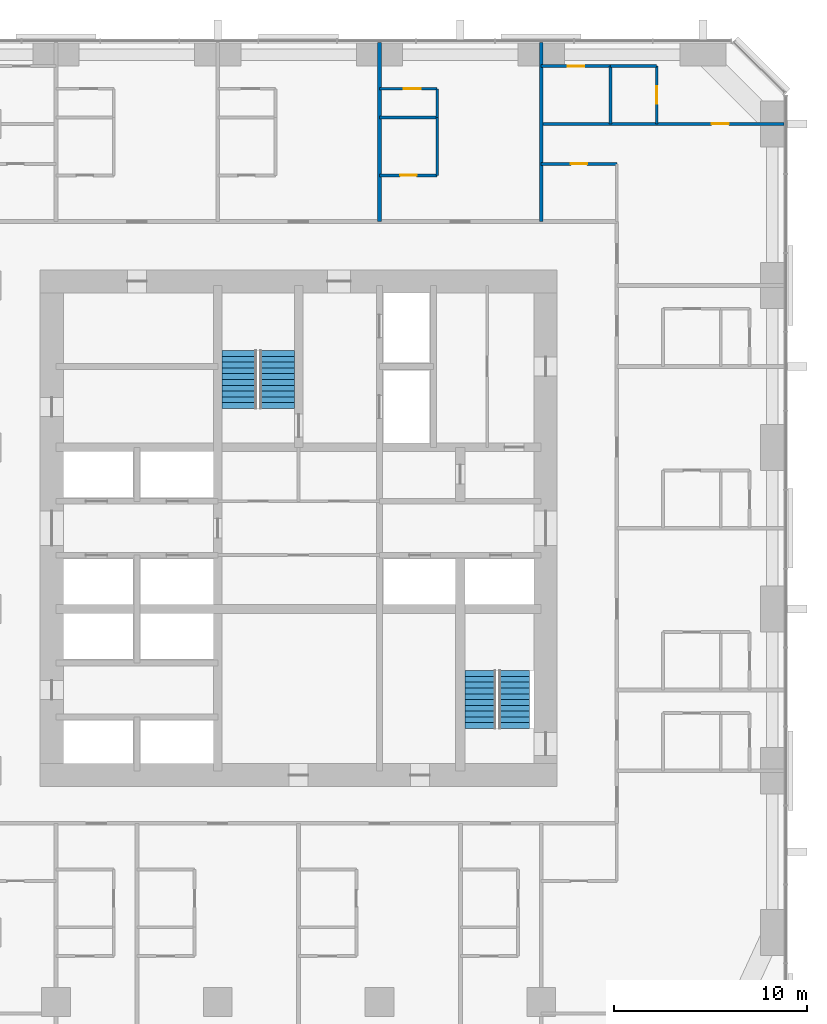
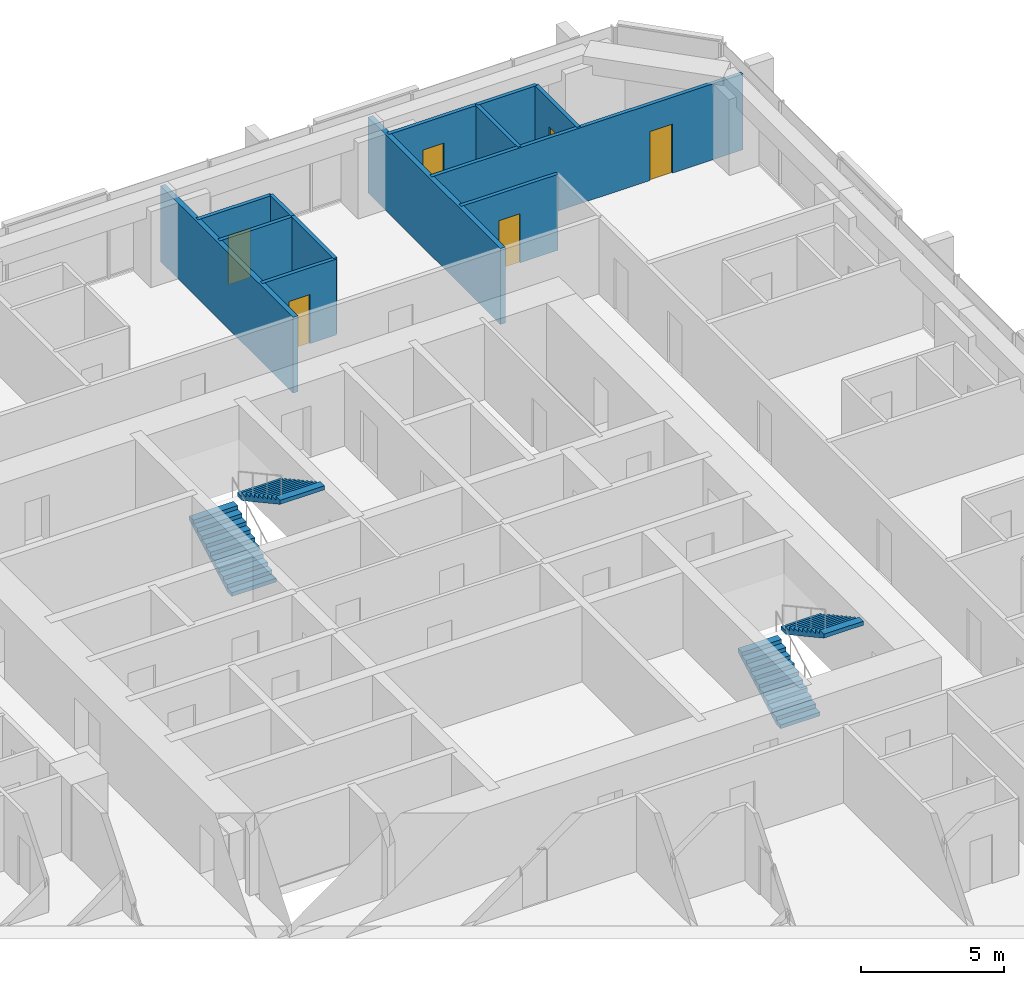
# One storey, part 13 of 14: 13 walls, 6 doors, 4 stair flights, 6 openings, 2 elements without a shape of their own.
"""IFC4 building model written with IfcOpenShell, lengths in metres."""

from ifc_helpers import new_model, si_unit, direction, frame, frame_2d, origin, place, context, subcontext, project, spatial, polyline, rectangle, outline, extrude, material, layer, layer_set, type_object, element, fill, aggregate, save


model = new_model("IFC4")

# Units and contexts
model_context = context("Model", 3, precision=1e-05, world=origin(), true_north=direction((0.0, 1.0)))
body_context = subcontext(model_context, "Body", "Model", "MODEL_VIEW")
ifc_project = project(units=[si_unit("LENGTHUNIT", "METRE"), si_unit("AREAUNIT", "SQUARE_METRE"), si_unit("VOLUMEUNIT", "CUBIC_METRE"), si_unit("PLANEANGLEUNIT", "RADIAN"), si_unit("MASSUNIT", "GRAM", prefix="KILO")], contexts=[model_context])

# Site, building, storey
site_placement = place(None, origin())
site = spatial("IfcSite", under=ifc_project, at=site_placement, CompositionType="ELEMENT")
building_placement = place(site_placement, origin())
building = spatial("IfcBuilding", under=site, at=building_placement, Name="Dunama Terrace Hotel", CompositionType="ELEMENT")
storey_placement = place(building_placement, frame((0.0, 0.0, 108.0)))
storey = spatial("IfcBuildingStorey", under=building, at=storey_placement, Name="L27", CompositionType="ELEMENT", Elevation=108.0)

# Wall
ifc_material_1 = material(Name="Gypsum board partition", Category="masonry")
ifc_layer_1 = layer(ifc_material_1, 0.14990234375)
ifc_layer_set_1 = layer_set([ifc_layer_1], Name="Bathroom partition 150")
wall_type_1 = type_object("IfcWallType", Name="Bathroom partition 150", PredefinedType="PARTITIONING", material=ifc_layer_set_1)
wall_1_placement = place(storey_placement, frame((36.60009765625, 47.72509765625, 0.0), z_axis=(0.0, 0.0, 1.0), x_axis=(0.0, 1.0, 0.0)))
element("IfcWall", 1, at=wall_1_placement, inside=storey, type_object=wall_type_1, Name="Bathroom partition 150 L27", PredefinedType="PARTITIONING", context=body_context, shape_type="SweptSolid", body=[
    extrude(rectangle(XDim=3.0, YDim=0.14990234375, at=frame_2d((1.5, 0.0))), origin(), (0.0, 0.0, 1.0), 3.25),
])

# Wall, opening, door
wall_2_placement = place(storey_placement, frame((33.60009765625, 47.72509765625, 0.0), z_axis=(0.0, 0.0, 1.0), x_axis=(1.0, 0.0, 0.0)))
wall_2 = element("IfcWall", 2, at=wall_2_placement, inside=storey, type_object=wall_type_1, Name="Bathroom partition 150 L27", PredefinedType="PARTITIONING", context=body_context, shape_type="SweptSolid", body=[
    extrude(rectangle(XDim=3.0, YDim=0.14990234375, at=frame_2d((1.5, 0.0))), origin(), (0.0, 0.0, 1.0), 3.25),
])
opening_1_placement = place(wall_2_placement, frame((1.074951171875, 0.0, 0.0)))
opening_1 = element("IfcOpeningElement", 3, at=opening_1_placement, cuts=wall_2, Name="Opening L25-27-042", PredefinedType="OPENING", context=body_context, shape_type="SweptSolid", body=[
    extrude(rectangle(XDim=0.85009765625, YDim=2.10009765625, at=frame_2d((0.425048828125, 1.050048828125))), frame((0.0, 0.0849609375, 0.0), z_axis=(0.0, -1.0, 0.0), x_axis=(1.0, 0.0, 0.0)), (0.0, 0.0, 1.0), 0.169921875),
])
ifc_material_2 = material(Name="Timber door with steel frame", Category="steel")
door_type_1 = type_object("IfcDoorType", Name="Bathroom door 850", OperationType="SINGLE_SWING_LEFT", PredefinedType="DOOR", material=ifc_material_2)
door_1_placement = place(opening_1_placement, origin())
door_1 = element("IfcDoor", 4, at=door_1_placement, inside=storey, type_object=door_type_1, Name="Door to en-suite bathroom L25-27-042, type D2", OperationType="SINGLE_SWING_LEFT", OverallHeight=2.10009765625, OverallWidth=0.85009765625, PredefinedType="DOOR", context=body_context, shape_type="SweptSolid", body=[
    extrude(rectangle(XDim=0.85009765625, YDim=2.10009765625, at=frame_2d((0.425048828125, 1.050048828125))), frame((0.0, 0.02490234375, 0.0), z_axis=(0.0, -1.0, 0.0), x_axis=(1.0, 0.0, 0.0)), (0.0, 0.0, 1.0), 0.050048828125),
])
fill(opening_1, door_1)

wall_3_placement = place(storey_placement, frame((42.0, 48.324951171875, 0.0), z_axis=(0.0, 0.0, 1.0), x_axis=(1.0, 0.0, 0.0)))
wall_3 = element("IfcWall", 5, at=wall_3_placement, inside=storey, type_object=wall_type_1, Name="Bathroom partition 150 L27", PredefinedType="PARTITIONING", context=body_context, shape_type="SweptSolid", body=[
    extrude(rectangle(XDim=3.925048828125, YDim=0.14990234375, at=frame_2d((1.96240234375, 0.0))), origin(), (0.0, 0.0, 1.0), 3.25),
])
opening_2_placement = place(wall_3_placement, frame((1.5380859375, 0.0, 0.0)))
opening_2 = element("IfcOpeningElement", 6, at=opening_2_placement, cuts=wall_3, Name="Opening L25-27-070", PredefinedType="OPENING", context=body_context, shape_type="SweptSolid", body=[
    extrude(rectangle(XDim=0.85009765625, YDim=2.10009765625, at=frame_2d((0.425048828125, 1.050048828125))), frame((0.0, 0.0849609375, 0.0), z_axis=(0.0, -1.0, 0.0), x_axis=(1.0, 0.0, 0.0)), (0.0, 0.0, 1.0), 0.169921875),
])
door_2_placement = place(opening_2_placement, frame((0.85009765625, 0.0, 0.0), z_axis=(0.0, 0.0, 1.0), x_axis=(-1.0, 0.0, 0.0)))
door_2 = element("IfcDoor", 7, at=door_2_placement, inside=storey, type_object=door_type_1, Name="Door to powder room L25-27-070, type D2", OperationType="SINGLE_SWING_RIGHT", OverallHeight=2.10009765625, OverallWidth=0.85009765625, PredefinedType="DOOR", context=body_context, shape_type="SweptSolid", body=[
    extrude(rectangle(XDim=0.85009765625, YDim=2.10009765625, at=frame_2d((0.425048828125, 1.050048828125))), frame((0.0, 0.025146484375, 0.0), z_axis=(0.0, -1.0, 0.0), x_axis=(1.0, 0.0, 0.0)), (0.0, 0.0, 1.0), 0.050048828125),
])
fill(opening_2, door_2)

wall_4_placement = place(storey_placement, frame((42.0, 53.39990234375, 0.0), z_axis=(0.0, 0.0, 1.0), x_axis=(1.0, 0.0, 0.0)))
wall_4 = element("IfcWall", 8, at=wall_4_placement, inside=storey, type_object=wall_type_1, Name="Bathroom partition 150 L27", PredefinedType="PARTITIONING", context=body_context, shape_type="SweptSolid", body=[
    extrude(rectangle(XDim=3.60009765625, YDim=0.14990234375, at=frame_2d((1.800048828125, 0.0))), origin(), (0.0, 0.0, 1.0), 3.25),
])
opening_3_placement = place(wall_4_placement, frame((1.375, 0.0, 0.0)))
opening_3 = element("IfcOpeningElement", 9, at=opening_3_placement, cuts=wall_4, Name="Opening L25-27-072", PredefinedType="OPENING", context=body_context, shape_type="SweptSolid", body=[
    extrude(rectangle(XDim=0.85009765625, YDim=2.10009765625, at=frame_2d((0.425048828125, 1.050048828125))), frame((0.0, 0.0849609375, 0.0), z_axis=(0.0, -1.0, 0.0), x_axis=(1.0, 0.0, 0.0)), (0.0, 0.0, 1.0), 0.169921875),
])
door_3_placement = place(opening_3_placement, frame((0.85009765625, 0.0, 0.0), z_axis=(0.0, 0.0, 1.0), x_axis=(-1.0, 0.0, 0.0)))
door_3 = element("IfcDoor", 10, at=door_3_placement, inside=storey, type_object=door_type_1, Name="Door to en-suite bathroom L25-27-072, type D2", OperationType="SINGLE_SWING_RIGHT", OverallHeight=2.10009765625, OverallWidth=0.85009765625, PredefinedType="DOOR", context=body_context, shape_type="SweptSolid", body=[
    extrude(rectangle(XDim=0.85009765625, YDim=2.10009765625, at=frame_2d((0.425048828125, 1.050048828125))), frame((0.0, 0.025146484375, 0.0), z_axis=(0.0, -1.0, 0.0), x_axis=(1.0, 0.0, 0.0)), (0.0, 0.0, 1.0), 0.050048828125),
])
fill(opening_3, door_3)

# Walls
ifc_material_3 = material(Name="Concrete blockwork", Category="masonry")
ifc_layer_2 = layer(ifc_material_3, 0.199951171875)
ifc_layer_set_2 = layer_set([ifc_layer_2], Name="Party wall 200")
wall_type_2 = type_object("IfcWallType", Name="Party wall 200", PredefinedType="PARTITIONING", material=ifc_layer_set_2)
for number, where, z_axis, x_axis, name in (
    (11, (33.60009765625, 45.324951171875, 0.0), (0.0, 0.0, 1.0), (0.0, 1.0, 0.0), "Party wall 200 L27"),
    (12, (42.0, 45.324951171875, 0.0), (0.0, 0.0, 1.0), (0.0, 1.0, 0.0), "Party wall 200 L27"),
):
    element("IfcWall", number, at=place(storey_placement, frame(where, z_axis=z_axis, x_axis=x_axis)), inside=storey, type_object=wall_type_2, Name=name, PredefinedType="PARTITIONING", context=body_context, shape_type="SweptSolid", body=[
        extrude(rectangle(XDim=9.29296875, YDim=0.199951171875, at=frame_2d((4.646484375, 0.0))), origin(), (0.0, 0.0, 1.0), 3.25),
    ])
ifc_material_4 = material(Name="Gypsum board partition", Category="masonry")
ifc_layer_3 = layer(ifc_material_4, 0.14990234375)
ifc_layer_set_3 = layer_set([ifc_layer_3], Name="Room partition 150")
wall_type_3 = type_object("IfcWallType", Name="Room partition 150", PredefinedType="PARTITIONING", material=ifc_layer_set_3)
wall_5_placement = place(storey_placement, frame((36.60009765625, 50.72509765625, 0.0), z_axis=(0.0, 0.0, 1.0), x_axis=(0.0, 1.0, 0.0)))
element("IfcWall", 13, at=wall_5_placement, inside=storey, type_object=wall_type_3, Name="Room partition 150 L27", PredefinedType="PARTITIONING", context=body_context, shape_type="SweptSolid", body=[
    extrude(rectangle(XDim=1.5, YDim=0.14990234375, at=frame_2d((0.75, 0.0))), origin(), (0.0, 0.0, 1.0), 3.25),
])
wall_6_placement = place(storey_placement, frame((45.60009765625, 50.39990234375, 0.0), z_axis=(0.0, 0.0, 1.0), x_axis=(0.0, 1.0, 0.0)))
element("IfcWall", 14, at=wall_6_placement, inside=storey, type_object=wall_type_3, Name="Room partition 150 L27", PredefinedType="PARTITIONING", context=body_context, shape_type="SweptSolid", body=[
    extrude(rectangle(XDim=3.0, YDim=0.14990234375, at=frame_2d((1.5, 0.0))), origin(), (0.0, 0.0, 1.0), 3.25),
])

# Wall, opening, door
wall_7_placement = place(storey_placement, frame((48.0, 50.39990234375, 0.0), z_axis=(0.0, 0.0, 1.0), x_axis=(0.0, 1.0, 0.0)))
wall_7 = element("IfcWall", 15, at=wall_7_placement, inside=storey, type_object=wall_type_3, Name="Room partition 150 L27", PredefinedType="PARTITIONING", context=body_context, shape_type="SweptSolid", body=[
    extrude(rectangle(XDim=3.0, YDim=0.14990234375, at=frame_2d((1.5, 0.0))), origin(), (0.0, 0.0, 1.0), 3.25),
])
opening_4_placement = place(wall_7_placement, frame((1.050048828125, 0.0, 0.0)))
opening_4 = element("IfcOpeningElement", 16, at=opening_4_placement, cuts=wall_7, Name="Opening L25-27-073", PredefinedType="OPENING", context=body_context, shape_type="SweptSolid", body=[
    extrude(rectangle(XDim=0.89990234375, YDim=2.10009765625, at=frame_2d((0.449951171875, 1.050048828125))), frame((0.0, 0.0849609375, 0.0), z_axis=(0.0, -1.0, 0.0), x_axis=(1.0, 0.0, 0.0)), (0.0, 0.0, 1.0), 0.169921875),
])
ifc_material_5 = material(Name="Timber door with steel frame", Category="steel")
door_type_2 = type_object("IfcDoorType", Name="Suite internal door 900", OperationType="SINGLE_SWING_LEFT", PredefinedType="DOOR", material=ifc_material_5)
door_4_placement = place(opening_4_placement, origin())
door_4 = element("IfcDoor", 17, at=door_4_placement, inside=storey, type_object=door_type_2, Name="Door to dressing room L25-27-073, type D16", OperationType="SINGLE_SWING_LEFT", OverallHeight=2.10009765625, OverallWidth=0.89990234375, PredefinedType="DOOR", context=body_context, shape_type="SweptSolid", body=[
    extrude(rectangle(XDim=0.89990234375, YDim=2.10009765625, at=frame_2d((0.449951171875, 1.050048828125))), frame((0.0, 0.02490234375, 0.0), z_axis=(0.0, -1.0, 0.0), x_axis=(1.0, 0.0, 0.0)), (0.0, 0.0, 1.0), 0.050048828125),
])
fill(opening_4, door_4)

wall_8_placement = place(storey_placement, frame((42.0, 50.39990234375, 0.0), z_axis=(0.0, 0.0, 1.0), x_axis=(1.0, 0.0, 0.0)))
wall_8 = element("IfcWall", 18, at=wall_8_placement, inside=storey, type_object=wall_type_3, Name="Room partition 150 L27", PredefinedType="PARTITIONING", context=body_context, shape_type="SweptSolid", body=[
    extrude(rectangle(XDim=12.617919921875, YDim=0.14990234375, at=frame_2d((6.30908203125, 0.0))), origin(), (0.0, 0.0, 1.0), 3.25),
])
opening_5_placement = place(wall_8_placement, frame((8.85009765625, 0.0, 0.0)))
opening_5 = element("IfcOpeningElement", 19, at=opening_5_placement, cuts=wall_8, Name="Opening L25-27-071", PredefinedType="OPENING", context=body_context, shape_type="SweptSolid", body=[
    extrude(rectangle(XDim=0.89990234375, YDim=2.10009765625, at=frame_2d((0.449951171875, 1.050048828125))), frame((0.0, 0.0849609375, 0.0), z_axis=(0.0, -1.0, 0.0), x_axis=(1.0, 0.0, 0.0)), (0.0, 0.0, 1.0), 0.169921875),
])
door_5_placement = place(opening_5_placement, origin())
door_5 = element("IfcDoor", 20, at=door_5_placement, inside=storey, type_object=door_type_2, Name="Door to corner suite bedroom L25-27-071, type D16", OperationType="SINGLE_SWING_RIGHT", OverallHeight=2.10009765625, OverallWidth=0.89990234375, PredefinedType="DOOR", context=body_context, shape_type="SweptSolid", body=[
    extrude(rectangle(XDim=0.89990234375, YDim=2.10009765625, at=frame_2d((0.449951171875, 1.050048828125))), frame((0.0, 0.02490234375, 0.0), z_axis=(0.0, -1.0, 0.0), x_axis=(1.0, 0.0, 0.0)), (0.0, 0.0, 1.0), 0.050048828125),
])
fill(opening_5, door_5)

# Wall
wall_9_placement = place(storey_placement, frame((33.60009765625, 50.72509765625, 0.0), z_axis=(0.0, 0.0, 1.0), x_axis=(1.0, 0.0, 0.0)))
element("IfcWall", 21, at=wall_9_placement, inside=storey, type_object=wall_type_3, Name="Room partition 150 L27", PredefinedType="PARTITIONING", context=body_context, shape_type="SweptSolid", body=[
    extrude(rectangle(XDim=3.0, YDim=0.14990234375, at=frame_2d((1.5, 0.0))), origin(), (0.0, 0.0, 1.0), 3.25),
])

# Wall, opening, door
wall_10_placement = place(storey_placement, frame((33.60009765625, 52.22509765625, 0.0), z_axis=(0.0, 0.0, 1.0), x_axis=(1.0, 0.0, 0.0)))
wall_10 = element("IfcWall", 22, at=wall_10_placement, inside=storey, type_object=wall_type_3, Name="Room partition 150 L27", PredefinedType="PARTITIONING", context=body_context, shape_type="SweptSolid", body=[
    extrude(rectangle(XDim=3.0, YDim=0.14990234375, at=frame_2d((1.5, 0.0))), origin(), (0.0, 0.0, 1.0), 3.25),
])
opening_6_placement = place(wall_10_placement, frame((1.25, 0.0, 0.0)))
opening_6 = element("IfcOpeningElement", 23, at=opening_6_placement, cuts=wall_10, Name="Opening L25-27-043", PredefinedType="OPENING", context=body_context, shape_type="SweptSolid", body=[
    extrude(rectangle(XDim=0.89990234375, YDim=2.10009765625, at=frame_2d((0.449951171875, 1.050048828125))), frame((0.0, 0.0849609375, 0.0), z_axis=(0.0, -1.0, 0.0), x_axis=(1.0, 0.0, 0.0)), (0.0, 0.0, 1.0), 0.169921875),
])
door_6_placement = place(opening_6_placement, frame((0.89990234375, 0.0, 0.0), z_axis=(0.0, 0.0, 1.0), x_axis=(-1.0, 0.0, 0.0)))
door_6 = element("IfcDoor", 24, at=door_6_placement, inside=storey, type_object=door_type_2, Name="Door to walk-in wardrobe L25-27-043, type D16", OperationType="SINGLE_SWING_RIGHT", OverallHeight=2.10009765625, OverallWidth=0.89990234375, PredefinedType="DOOR", context=body_context, shape_type="SweptSolid", body=[
    extrude(rectangle(XDim=0.89990234375, YDim=2.10009765625, at=frame_2d((0.449951171875, 1.050048828125))), frame((0.0, 0.025146484375, 0.0), z_axis=(0.0, -1.0, 0.0), x_axis=(1.0, 0.0, 0.0)), (0.0, 0.0, 1.0), 0.050048828125),
])
fill(opening_6, door_6)

# Wall
wall_11_placement = place(storey_placement, frame((45.60009765625, 53.39990234375, 0.0), z_axis=(0.0, 0.0, 1.0), x_axis=(1.0, 0.0, 0.0)))
element("IfcWall", 25, at=wall_11_placement, inside=storey, type_object=wall_type_3, Name="Room partition 150 L27", PredefinedType="PARTITIONING", context=body_context, shape_type="SweptSolid", body=[
    extrude(rectangle(XDim=2.39990234375, YDim=0.14990234375, at=frame_2d((1.199951171875, 0.0))), origin(), (0.0, 0.0, 1.0), 3.25),
])

# Stair, stair flights
ifc_material_6 = material(Name="Concrete C40/50", Category="concrete")
stair_type_1 = type_object("IfcStairType", Name="Stair ST1-3600-1800", PredefinedType="HALF_TURN_STAIR", material=ifc_material_6)
stair_1_placement = place(storey_placement, origin())
stair_1 = element("IfcStair", 26, at=stair_1_placement, inside=storey, type_object=stair_type_1, Name="Stair ST1 L27", PredefinedType="HALF_TURN_STAIR")
ifc_material_7 = material(Name="Concrete C40/50", Category="concrete")
stair_flight_type_1 = type_object("IfcStairFlightType", Name="Stair flight ST1-3600-1800", PredefinedType="STRAIGHT", material=ifc_material_7)
stair_flight_1_placement = place(storey_placement, frame((26.324951171875, 35.625, 0.0), z_axis=(0.0, 0.0, 1.0), x_axis=(0.0, 1.0, 0.0)))
stair_flight_1 = element("IfcStairFlight", 27, at=stair_flight_1_placement, type_object=stair_flight_type_1, Name="ST1 flight 1", NumberOfRisers=11, NumberOfTreads=10, PredefinedType="STRAIGHT", RiserHeight=0.163636364, TreadLength=0.3, context=body_context, shape_type="SweptSolid", body=[
    extrude(outline(polyline([(0.0, 0.0), (0.0, 0.16357421875), (0.300048828125, 0.16357421875), (0.300048828125, 0.327392578125), (0.60009765625, 0.327392578125), (0.60009765625, 0.490966796875), (0.89990234375, 0.490966796875), (0.89990234375, 0.654541015625), (1.199951171875, 0.654541015625), (1.199951171875, 0.818115234375), (1.5, 0.818115234375), (1.5, 0.98193359375), (1.800048828125, 0.98193359375), (1.800048828125, 1.1455078125), (2.10009765625, 1.1455078125), (2.10009765625, 1.30908203125), (2.39990234375, 1.30908203125), (2.39990234375, 1.47265625), (2.699951171875, 1.47265625), (2.699951171875, 1.636474609375), (3.0, 1.636474609375), (3.0, 1.800048828125), (3.0, 1.465576171875), (0.31298828125, 0.0), (0.0, 0.0)])), frame((0.0, 0.89990234375, 0.0), z_axis=(0.0, -1.0, 0.0), x_axis=(1.0, 0.0, 0.0)), (0.0, 0.0, 1.0), 1.800048828125),
])
stair_flight_2_placement = place(storey_placement, frame((28.27490234375, 38.625, 1.800048828125), z_axis=(0.0, 0.0, 1.0), x_axis=(0.0, -1.0, 0.0)))
stair_flight_2 = element("IfcStairFlight", 28, at=stair_flight_2_placement, type_object=stair_flight_type_1, Name="ST1 flight 2", NumberOfRisers=11, NumberOfTreads=10, PredefinedType="STRAIGHT", RiserHeight=0.163636364, TreadLength=0.3, context=body_context, shape_type="SweptSolid", body=[
    extrude(outline(polyline([(0.0, 0.0), (0.0, 0.16357421875), (0.300048828125, 0.16357421875), (0.300048828125, 0.327392578125), (0.60009765625, 0.327392578125), (0.60009765625, 0.490966796875), (0.89990234375, 0.490966796875), (0.89990234375, 0.654541015625), (1.199951171875, 0.654541015625), (1.199951171875, 0.818115234375), (1.5, 0.818115234375), (1.5, 0.98193359375), (1.800048828125, 0.98193359375), (1.800048828125, 1.1455078125), (2.10009765625, 1.1455078125), (2.10009765625, 1.30908203125), (2.39990234375, 1.30908203125), (2.39990234375, 1.47265625), (2.699951171875, 1.47265625), (2.699951171875, 1.636474609375), (3.0, 1.636474609375), (3.0, 1.800048828125), (3.0, 1.465576171875), (0.31298828125, 0.0), (0.0, 0.0)])), frame((0.0, 0.89990234375, 0.0), z_axis=(0.0, -1.0, 0.0), x_axis=(1.0, 0.0, 0.0)), (0.0, 0.0, 1.0), 1.800048828125),
])
aggregate(stair_1, [stair_flight_1, stair_flight_2])

ifc_material_8 = material(Name="Concrete C40/50", Category="concrete")
stair_type_2 = type_object("IfcStairType", Name="Stair ST2-3600-1600", PredefinedType="HALF_TURN_STAIR", material=ifc_material_8)
stair_2_placement = place(storey_placement, origin())
stair_2 = element("IfcStair", 29, at=stair_2_placement, inside=storey, type_object=stair_type_2, Name="Stair ST2 L27", PredefinedType="HALF_TURN_STAIR")
ifc_material_9 = material(Name="Concrete C40/50", Category="concrete")
stair_flight_type_2 = type_object("IfcStairFlightType", Name="Stair flight ST2-3600-1600", PredefinedType="STRAIGHT", material=ifc_material_9)
stair_flight_3_placement = place(storey_placement, frame((38.85009765625, 19.0, 0.0), z_axis=(0.0, 0.0, 1.0), x_axis=(0.0, 1.0, 0.0)))
stair_flight_3 = element("IfcStairFlight", 30, at=stair_flight_3_placement, type_object=stair_flight_type_2, Name="ST2 flight 1", NumberOfRisers=11, NumberOfTreads=10, PredefinedType="STRAIGHT", RiserHeight=0.163636364, TreadLength=0.3, context=body_context, shape_type="SweptSolid", body=[
    extrude(outline(polyline([(0.0, 0.0), (0.0, 0.16357421875), (0.300048828125, 0.16357421875), (0.300048828125, 0.327392578125), (0.60009765625, 0.327392578125), (0.60009765625, 0.490966796875), (0.89990234375, 0.490966796875), (0.89990234375, 0.654541015625), (1.199951171875, 0.654541015625), (1.199951171875, 0.818115234375), (1.5, 0.818115234375), (1.5, 0.98193359375), (1.800048828125, 0.98193359375), (1.800048828125, 1.1455078125), (2.10009765625, 1.1455078125), (2.10009765625, 1.30908203125), (2.39990234375, 1.30908203125), (2.39990234375, 1.47265625), (2.699951171875, 1.47265625), (2.699951171875, 1.636474609375), (3.0, 1.636474609375), (3.0, 1.800048828125), (3.0, 1.465576171875), (0.31298828125, 0.0), (0.0, 0.0)])), frame((0.0, 0.800048828125, 0.0), z_axis=(0.0, -1.0, 0.0), x_axis=(1.0, 0.0, 0.0)), (0.0, 0.0, 1.0), 1.60009765625),
])
stair_flight_4_placement = place(storey_placement, frame((40.60009765625, 22.0, 1.800048828125), z_axis=(0.0, 0.0, 1.0), x_axis=(0.0, -1.0, 0.0)))
stair_flight_4 = element("IfcStairFlight", 31, at=stair_flight_4_placement, type_object=stair_flight_type_2, Name="ST2 flight 2", NumberOfRisers=11, NumberOfTreads=10, PredefinedType="STRAIGHT", RiserHeight=0.163636364, TreadLength=0.3, context=body_context, shape_type="SweptSolid", body=[
    extrude(outline(polyline([(0.0, 0.0), (0.0, 0.16357421875), (0.300048828125, 0.16357421875), (0.300048828125, 0.327392578125), (0.60009765625, 0.327392578125), (0.60009765625, 0.490966796875), (0.89990234375, 0.490966796875), (0.89990234375, 0.654541015625), (1.199951171875, 0.654541015625), (1.199951171875, 0.818115234375), (1.5, 0.818115234375), (1.5, 0.98193359375), (1.800048828125, 0.98193359375), (1.800048828125, 1.1455078125), (2.10009765625, 1.1455078125), (2.10009765625, 1.30908203125), (2.39990234375, 1.30908203125), (2.39990234375, 1.47265625), (2.699951171875, 1.47265625), (2.699951171875, 1.636474609375), (3.0, 1.636474609375), (3.0, 1.800048828125), (3.0, 1.465576171875), (0.31298828125, 0.0), (0.0, 0.0)])), frame((0.0, 0.800048828125, 0.0), z_axis=(0.0, -1.0, 0.0), x_axis=(1.0, 0.0, 0.0)), (0.0, 0.0, 1.0), 1.60009765625),
])
aggregate(stair_2, [stair_flight_3, stair_flight_4])

save(model, "model.ifc")
